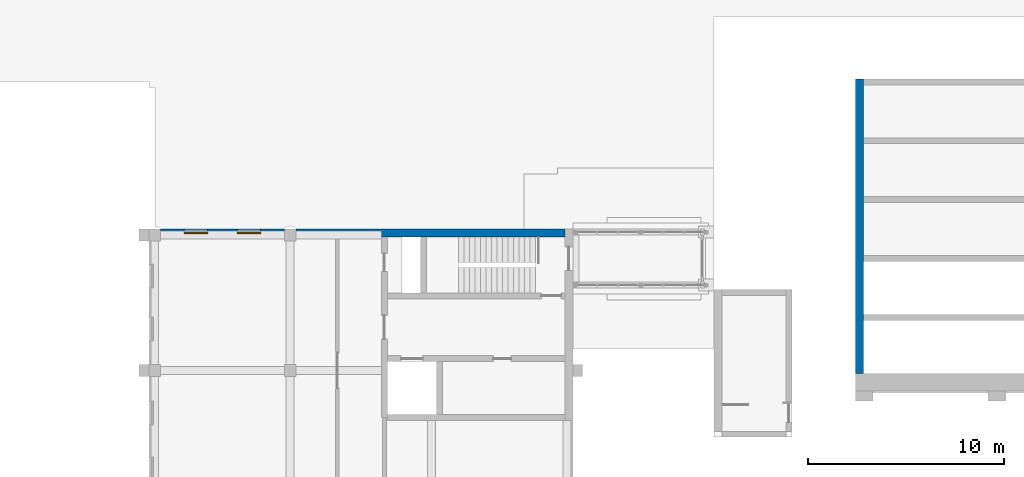
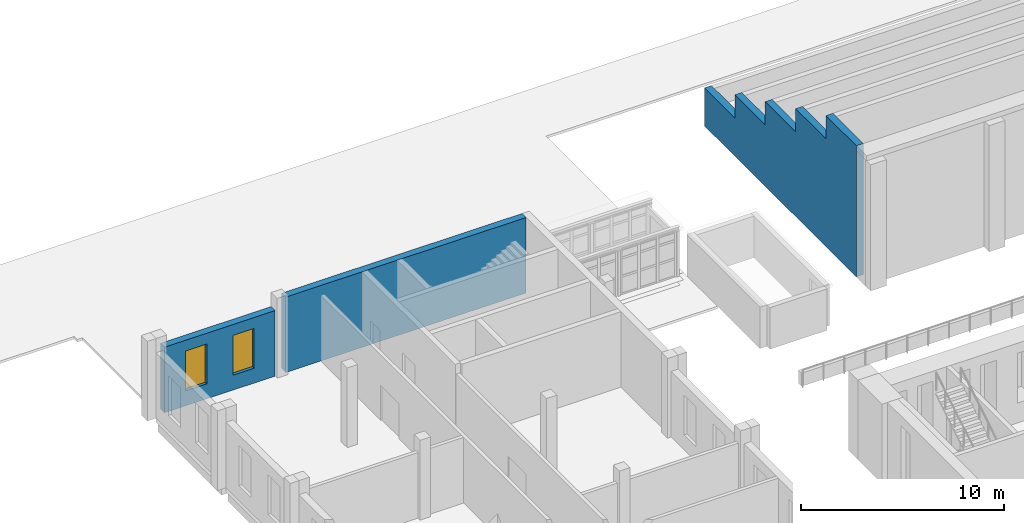
# One storey, part 98 of 131: 3 walls, 2 windows, 2 openings.
"""IFC4 building model written with IfcOpenShell, lengths in metres."""

from ifc_helpers import new_model, si_unit, direction, frame, frame_2d, origin, place, context, subcontext, project, spatial, polyline, rectangle, outline, extrude, material, layer, layer_set, type_object, element, fill, save


model = new_model("IFC4")

# Units and contexts
model_context = context("Model", 3, precision=1e-05, world=origin(), true_north=direction((0.0, 1.0)))
body_context = subcontext(model_context, "Body", "Model", "MODEL_VIEW")
ifc_project = project(units=[si_unit("LENGTHUNIT", "METRE"), si_unit("AREAUNIT", "SQUARE_METRE"), si_unit("VOLUMEUNIT", "CUBIC_METRE"), si_unit("PLANEANGLEUNIT", "RADIAN"), si_unit("MASSUNIT", "GRAM", prefix="KILO")], contexts=[model_context])

# Site, building, storey
site_placement = place(None, origin())
site = spatial("IfcSite", under=ifc_project, at=site_placement, CompositionType="ELEMENT")
building_placement = place(site_placement, origin())
building = spatial("IfcBuilding", under=site, at=building_placement, Name="Alderwick Market Hall", CompositionType="ELEMENT")
storey_placement = place(building_placement, frame((0.0, 0.0, 4.800048828125)))
storey = spatial("IfcBuildingStorey", under=building, at=storey_placement, Name="L00", CompositionType="ELEMENT", Elevation=4.800048828125)

# Wall
ifc_material_1 = material(Name="Concrete 5000 psi (f'c 35 MPa)", Category="concrete")
ifc_layer_1 = layer(ifc_material_1, 0.39990234375)
ifc_layer_set_1 = layer_set([ifc_layer_1], Name="Concrete 5000 psi (f'c 35 MPa)")
wall_type_1 = type_object("IfcWallType", Name="A RC Bank Cheek Wall 400", PredefinedType="SOLIDWALL", material=ifc_layer_set_1)
wall_1_placement = place(storey_placement, frame((57.800048828125, 122.25, 0.0), z_axis=(0.0, 0.0, 1.0), x_axis=(0.0, 1.0, 0.0)))
element("IfcWall", 1, at=wall_1_placement, inside=storey, type_object=wall_type_1, Name="Bank cheek wall", PredefinedType="SOLIDWALL", context=body_context, shape_type="SweptSolid", body=[
    extrude(outline(polyline([(0.0, 0.0), (15.0, 0.0), (15.0, 2.300048828125), (12.0009765625, 2.300048828125), (12.0, 3.699951171875), (9.0009765625, 3.699951171875), (9.0, 5.099853515625), (6.0009765625, 5.099853515625), (6.0, 6.5), (3.0009765625, 6.5), (3.0, 7.89990234375), (0.0, 7.89990234375), (0.0, 0.0)])), frame((0.0, 0.199951171875, 0.0), z_axis=(0.0, -1.0, 0.0), x_axis=(1.0, 0.0, 0.0)), (0.0, 0.0, 1.0), 0.39990234375),
])

# Wall, openings, windows
ifc_material_2 = material(Name="Face brick", Category="masonry")
ifc_layer_2 = layer(ifc_material_2, 0.39990234375)
ifc_layer_set_2 = layer_set([ifc_layer_2], Name="Face brick")
wall_type_2 = type_object("IfcWallType", Name="B Brick Cavity Wall 400", PredefinedType="SOLIDWALL", material=ifc_layer_set_2)
wall_2_placement = place(storey_placement, frame((22.199951171875, 129.39990234375, 0.0), z_axis=(0.0, 0.0, 1.0), x_axis=(1.0, 0.0, 0.0)))
wall_2 = element("IfcWall", 2, at=wall_2_placement, inside=storey, type_object=wall_type_2, Name="B.N.wall.L00.014", PredefinedType="SOLIDWALL", context=body_context, shape_type="SweptSolid", body=[
    extrude(rectangle(XDim=6.300048828125, YDim=0.39990234375, at=frame_2d((3.14990234375, 0.0))), origin(), (0.0, 0.0, 1.0), 3.949951171875),
])
opening_1_placement = place(wall_2_placement, frame((1.199951171875, 0.0, 0.89990234375)))
opening_1 = element("IfcOpeningElement", 3, at=opening_1_placement, cuts=wall_2, Name="Opening B-W012", PredefinedType="OPENING", context=body_context, shape_type="SweptSolid", body=[
    extrude(rectangle(XDim=1.199951171875, YDim=2.39990234375, at=frame_2d((0.60009765625, 1.199951171875))), frame((0.0, 0.2099609375, 0.0), z_axis=(0.0, -1.0, 0.0), x_axis=(1.0, 0.0, 0.0)), (0.0, 0.0, 1.0), 0.419921875),
])
opening_2_placement = place(wall_2_placement, frame((3.89990234375, 0.0, 0.89990234375)))
opening_2 = element("IfcOpeningElement", 4, at=opening_2_placement, cuts=wall_2, Name="Opening B-W013", PredefinedType="OPENING", context=body_context, shape_type="SweptSolid", body=[
    extrude(rectangle(XDim=1.199951171875, YDim=2.39990234375, at=frame_2d((0.60009765625, 1.199951171875))), frame((0.0, 0.2099609375, 0.0), z_axis=(0.0, -1.0, 0.0), x_axis=(1.0, 0.0, 0.0)), (0.0, 0.0, 1.0), 0.419921875),
])
ifc_material_3 = material(Name="Aluminium frame", Category="aluminium")
window_type = type_object("IfcWindowType", Name="B Piano Nobile Window 1200x2400", PartitioningType="SINGLE_PANEL", PredefinedType="WINDOW", material=ifc_material_3)
window_1_placement = place(opening_1_placement, origin())
window_1 = element("IfcWindow", 5, at=window_1_placement, inside=storey, type_object=window_type, Name="Window B-W012", OverallHeight=2.39990234375, OverallWidth=1.199951171875, PartitioningType="SINGLE_PANEL", PredefinedType="WINDOW", context=body_context, shape_type="SweptSolid", body=[
    extrude(rectangle(XDim=1.199951171875, YDim=2.39990234375, at=frame_2d((0.60009765625, 1.199951171875))), frame((0.0, 0.030029296875, 0.0), z_axis=(0.0, -1.0, 0.0), x_axis=(1.0, 0.0, 0.0)), (0.0, 0.0, 1.0), 0.06005859375),
])
fill(opening_1, window_1)
window_2_placement = place(opening_2_placement, origin())
window_2 = element("IfcWindow", 6, at=window_2_placement, inside=storey, type_object=window_type, Name="Window B-W013", OverallHeight=2.39990234375, OverallWidth=1.199951171875, PartitioningType="SINGLE_PANEL", PredefinedType="WINDOW", context=body_context, shape_type="SweptSolid", body=[
    extrude(rectangle(XDim=1.199951171875, YDim=2.39990234375, at=frame_2d((0.60009765625, 1.199951171875))), frame((0.0, 0.030029296875, 0.0), z_axis=(0.0, -1.0, 0.0), x_axis=(1.0, 0.0, 0.0)), (0.0, 0.0, 1.0), 0.06005859375),
])
fill(opening_2, window_2)

# Wall
ifc_layer_3 = layer(ifc_material_1, 0.39990234375)
ifc_layer_set_3 = layer_set([ifc_layer_3], Name="Concrete 5000 psi (f'c 35 MPa)")
wall_type_3 = type_object("IfcWallType", Name="B RC Core Facade Wall 400", PredefinedType="SHEAR", material=ifc_layer_set_3)
wall_3_placement = place(storey_placement, frame((29.10009765625, 129.39990234375, 0.0), z_axis=(0.0, 0.0, 1.0), x_axis=(1.0, 0.0, 0.0)))
element("IfcWall", 7, at=wall_3_placement, inside=storey, type_object=wall_type_3, Name="B.N.wall.L00.015", PredefinedType="SHEAR", context=body_context, shape_type="SweptSolid", body=[
    extrude(rectangle(XDim=13.699951171875, YDim=0.39990234375, at=frame_2d((6.85009765625, 0.0))), origin(), (0.0, 0.0, 1.0), 4.550048828125),
])

save(model, "model.ifc")
